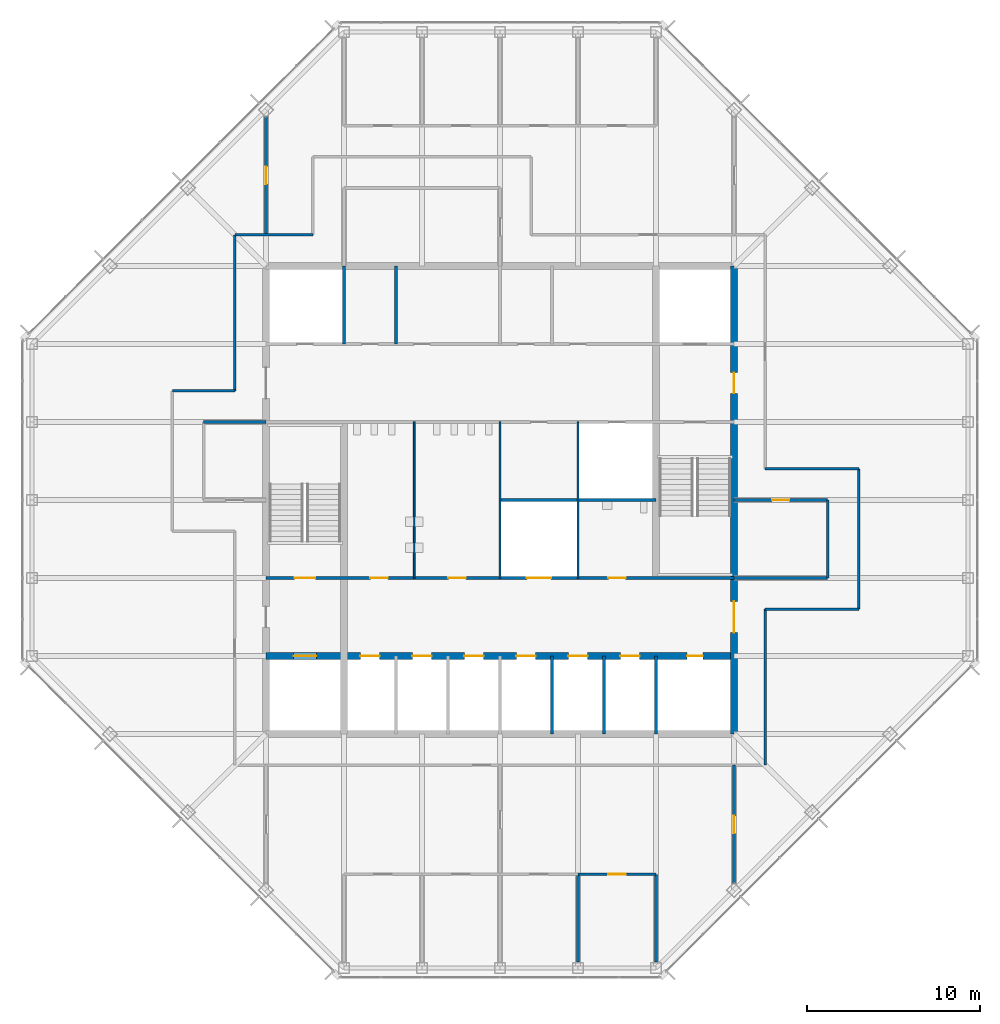
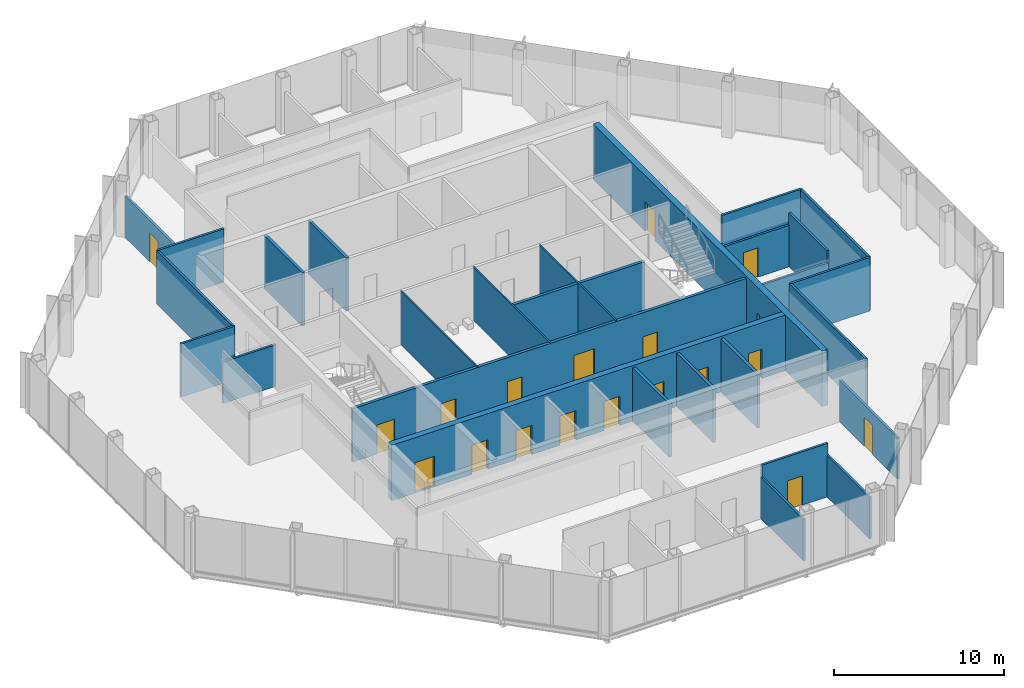
# One storey, part 10 of 14: 28 walls, 19 doors, 19 openings.
"""IFC4 building model written with IfcOpenShell, lengths in metres."""

from ifc_helpers import new_model, si_unit, direction, frame, frame_2d, origin, place, context, subcontext, project, spatial, rectangle, extrude, material, layer, layer_set, type_object, element, fill, save


model = new_model("IFC4")

# Units and contexts
model_context = context("Model", 3, precision=1e-05, world=origin(), true_north=direction((0.0, 1.0)))
body_context = subcontext(model_context, "Body", "Model", "MODEL_VIEW")
ifc_project = project(units=[si_unit("LENGTHUNIT", "METRE"), si_unit("AREAUNIT", "SQUARE_METRE"), si_unit("VOLUMEUNIT", "CUBIC_METRE"), si_unit("PLANEANGLEUNIT", "RADIAN"), si_unit("MASSUNIT", "GRAM", prefix="KILO")], contexts=[model_context])

# Site, building, storey
site_placement = place(None, origin())
site = spatial("IfcSite", under=ifc_project, at=site_placement, CompositionType="ELEMENT")
building_placement = place(site_placement, origin())
building = spatial("IfcBuilding", under=site, at=building_placement, Name="Corais Broadcast Tower", CompositionType="ELEMENT")
storey_placement = place(building_placement, frame((0.0, 0.0, 250.60009765625)))
storey = spatial("IfcBuildingStorey", under=building, at=storey_placement, Name="L58", CompositionType="ELEMENT", Elevation=250.60009765625)

# Walls
ifc_material_1 = material(Name="Concrete blockwork class A, grouted, two-hour", Category="masonry")
ifc_layer_1 = layer(ifc_material_1, 0.199951171875)
ifc_layer_set_1 = layer_set([ifc_layer_1], Name="Concrete blockwork class A, grouted, two-hour")
wall_type_1 = type_object("IfcWallType", Name="Core lobby wall 200", PredefinedType="SOLIDWALL", material=ifc_layer_set_1)
for number, where, z_axis, x_axis, name in (
    (1, (18.0, 36.0, 0.0), (0.0, 0.0, 1.0), (0.0, 1.0, 0.0), "CL3 core shaft wall X18B L58"),
    (2, (36.0, 13.5, 0.0), (0.0, 0.0, 1.0), (0.0, 1.0, 0.0), "CL3 core shaft wall X36A L58"),
):
    element("IfcWall", number, at=place(storey_placement, frame(where, z_axis=z_axis, x_axis=x_axis)), inside=storey, type_object=wall_type_1, Name=name, PredefinedType="SOLIDWALL", context=body_context, shape_type="SweptSolid", body=[
        extrude(rectangle(XDim=4.5, YDim=0.199951171875, at=frame_2d((2.25, 0.0))), origin(), (0.0, 0.0, 1.0), 3.83984375),
    ])

# Wall, openings, doors
wall_1_placement = place(storey_placement, frame((13.5, 22.5, 0.0), z_axis=(0.0, 0.0, 1.0), x_axis=(1.0, 0.0, 0.0)))
wall_1 = element("IfcWall", 3, at=wall_1_placement, inside=storey, type_object=wall_type_1, Name="CL3 core lobby wall Y225 L58", PredefinedType="SOLIDWALL", context=body_context, shape_type="SweptSolid", body=[
    extrude(rectangle(XDim=27.0, YDim=0.199951171875, at=frame_2d((13.5, 0.0))), origin(), (0.0, 0.0, 1.0), 3.83984375),
])
opening_1_placement = place(wall_1_placement, frame((1.64990234375, 0.0, 0.0)))
opening_1 = element("IfcOpeningElement", 4, at=opening_1_placement, cuts=wall_1, Name="Opening FD1", PredefinedType="OPENING", context=body_context, shape_type="SweptSolid", body=[
    extrude(rectangle(XDim=1.199951171875, YDim=2.10009765625, at=frame_2d((0.60009765625, 1.050048828125))), frame((0.0, 0.10986328125, 0.0), z_axis=(0.0, -1.0, 0.0), x_axis=(1.0, 0.0, 0.0)), (0.0, 0.0, 1.0), 0.219970703125),
])
opening_2_placement = place(wall_1_placement, frame((6.02490234375, 0.0, 0.0)))
opening_2 = element("IfcOpeningElement", 5, at=opening_2_placement, cuts=wall_1, Name="Opening WD1", PredefinedType="OPENING", context=body_context, shape_type="SweptSolid", body=[
    extrude(rectangle(XDim=1.0, YDim=2.10009765625, at=frame_2d((0.5, 1.050048828125))), frame((0.0, 0.10986328125, 0.0), z_axis=(0.0, -1.0, 0.0), x_axis=(1.0, 0.0, 0.0)), (0.0, 0.0, 1.0), 0.219970703125),
])
opening_3_placement = place(wall_1_placement, frame((10.52490234375, 0.0, 0.0)))
opening_3 = element("IfcOpeningElement", 6, at=opening_3_placement, cuts=wall_1, Name="Opening WD1", PredefinedType="OPENING", context=body_context, shape_type="SweptSolid", body=[
    extrude(rectangle(XDim=1.0, YDim=2.10009765625, at=frame_2d((0.5, 1.050048828125))), frame((0.0, 0.10986328125, 0.0), z_axis=(0.0, -1.0, 0.0), x_axis=(1.0, 0.0, 0.0)), (0.0, 0.0, 1.0), 0.219970703125),
])
opening_4_placement = place(wall_1_placement, frame((19.75, 0.0, 0.0)))
opening_4 = element("IfcOpeningElement", 7, at=opening_4_placement, cuts=wall_1, Name="Opening WD1", PredefinedType="OPENING", context=body_context, shape_type="SweptSolid", body=[
    extrude(rectangle(XDim=1.0, YDim=2.10009765625, at=frame_2d((0.5, 1.050048828125))), frame((0.0, 0.10986328125, 0.0), z_axis=(0.0, -1.0, 0.0), x_axis=(1.0, 0.0, 0.0)), (0.0, 0.0, 1.0), 0.219970703125),
])
opening_5_placement = place(wall_1_placement, frame((15.050048828125, 0.0, 0.0)))
opening_5 = element("IfcOpeningElement", 8, at=opening_5_placement, cuts=wall_1, Name="Opening LD3", PredefinedType="OPENING", context=body_context, shape_type="SweptSolid", body=[
    extrude(rectangle(XDim=1.39990234375, YDim=2.39990234375, at=frame_2d((0.699951171875, 1.199951171875))), frame((0.0, 0.10986328125, 0.0), z_axis=(0.0, -1.0, 0.0), x_axis=(1.0, 0.0, 0.0)), (0.0, 0.0, 1.0), 0.219970703125),
])
ifc_material_2 = material(Name="Steel fire door", Category="steel")
door_type_1 = type_object("IfcDoorType", Name="Fire door 1200x2100", OperationType="SINGLE_SWING_LEFT", PredefinedType="DOOR", material=ifc_material_2)
door_1_placement = place(opening_1_placement, origin())
door_1 = element("IfcDoor", 9, at=door_1_placement, inside=storey, type_object=door_type_1, Name="FD1 stair A door L58", OperationType="SINGLE_SWING_LEFT", OverallHeight=2.10009765625, OverallWidth=1.199951171875, PredefinedType="DOOR", context=body_context, shape_type="SweptSolid", body=[
    extrude(rectangle(XDim=1.199951171875, YDim=2.10009765625, at=frame_2d((0.60009765625, 1.050048828125))), frame((0.0, 0.02490234375, 0.0), z_axis=(0.0, -1.0, 0.0), x_axis=(1.0, 0.0, 0.0)), (0.0, 0.0, 1.0), 0.050048828125),
])
fill(opening_1, door_1)
ifc_material_3 = material(Name="Stainless steel lift door", Category="steel")
door_type_2 = type_object("IfcDoorType", Name="Service lift landing door 1400x2400", OperationType="SLIDING_TO_LEFT", PredefinedType="DOOR", material=ifc_material_3)
door_2_placement = place(opening_5_placement, origin())
door_2 = element("IfcDoor", 10, at=door_2_placement, inside=storey, type_object=door_type_2, Name="LD3 SL1 landing door L58", OperationType="SLIDING_TO_LEFT", OverallHeight=2.39990234375, OverallWidth=1.39990234375, PredefinedType="DOOR", context=body_context, shape_type="SweptSolid", body=[
    extrude(rectangle(XDim=1.39990234375, YDim=2.39990234375, at=frame_2d((0.699951171875, 1.199951171875))), frame((0.0, 0.02490234375, 0.0), z_axis=(0.0, -1.0, 0.0), x_axis=(1.0, 0.0, 0.0)), (0.0, 0.0, 1.0), 0.050048828125),
])
fill(opening_5, door_2)
ifc_material_4 = material(Name="Timber door", Category="wood")
door_type_3 = type_object("IfcDoorType", Name="Toilet door 1000x2100", OperationType="SINGLE_SWING_LEFT", PredefinedType="DOOR", material=ifc_material_4)
door_3_placement = place(opening_2_placement, origin())
door_3 = element("IfcDoor", 11, at=door_3_placement, inside=storey, type_object=door_type_3, Name="WD1 WC male door L58", OperationType="SINGLE_SWING_LEFT", OverallHeight=2.10009765625, OverallWidth=1.0, PredefinedType="DOOR", context=body_context, shape_type="SweptSolid", body=[
    extrude(rectangle(XDim=1.0, YDim=2.10009765625, at=frame_2d((0.5, 1.050048828125))), frame((0.0, 0.02490234375, 0.0), z_axis=(0.0, -1.0, 0.0), x_axis=(1.0, 0.0, 0.0)), (0.0, 0.0, 1.0), 0.050048828125),
])
fill(opening_2, door_3)
door_4_placement = place(opening_3_placement, origin())
door_4 = element("IfcDoor", 12, at=door_4_placement, inside=storey, type_object=door_type_3, Name="WD1 WC female door L58", OperationType="SINGLE_SWING_LEFT", OverallHeight=2.10009765625, OverallWidth=1.0, PredefinedType="DOOR", context=body_context, shape_type="SweptSolid", body=[
    extrude(rectangle(XDim=1.0, YDim=2.10009765625, at=frame_2d((0.5, 1.050048828125))), frame((0.0, 0.02490234375, 0.0), z_axis=(0.0, -1.0, 0.0), x_axis=(1.0, 0.0, 0.0)), (0.0, 0.0, 1.0), 0.050048828125),
])
fill(opening_3, door_4)
door_5_placement = place(opening_4_placement, origin())
door_5 = element("IfcDoor", 13, at=door_5_placement, inside=storey, type_object=door_type_3, Name="WD1 accessible WC door L58", OperationType="SINGLE_SWING_RIGHT", OverallHeight=2.10009765625, OverallWidth=1.0, PredefinedType="DOOR", context=body_context, shape_type="SweptSolid", body=[
    extrude(rectangle(XDim=1.0, YDim=2.10009765625, at=frame_2d((0.5, 1.050048828125))), frame((0.0, 0.02490234375, 0.0), z_axis=(0.0, -1.0, 0.0), x_axis=(1.0, 0.0, 0.0)), (0.0, 0.0, 1.0), 0.050048828125),
])
fill(opening_4, door_5)

ifc_material_5 = material(Name="Concrete C50/60", Category="concrete")
ifc_layer_2 = layer(ifc_material_5, 0.39990234375)
ifc_layer_set_2 = layer_set([ifc_layer_2], Name="Concrete C50/60")
wall_type_2 = type_object("IfcWallType", Name="Core wall 400", PredefinedType="SHEAR", material=ifc_layer_set_2)
wall_2_placement = place(storey_placement, frame((40.5, 13.5, 0.0), z_axis=(0.0, 0.0, 1.0), x_axis=(0.0, 1.0, 0.0)))
wall_2 = element("IfcWall", 14, at=wall_2_placement, inside=storey, type_object=wall_type_2, Name="CR400 core wall E L58", PredefinedType="SHEAR", context=body_context, shape_type="SweptSolid", body=[
    extrude(rectangle(XDim=27.0, YDim=0.39990234375, at=frame_2d((13.5, 0.0))), origin(), (0.0, 0.0, 1.0), 4.0),
])
opening_6_placement = place(wall_2_placement, frame((5.85009765625, 0.0, 0.0)))
opening_6 = element("IfcOpeningElement", 15, at=opening_6_placement, cuts=wall_2, Name="Opening FD2", PredefinedType="OPENING", context=body_context, shape_type="SweptSolid", body=[
    extrude(rectangle(XDim=1.800048828125, YDim=2.10009765625, at=frame_2d((0.89990234375, 1.050048828125))), frame((0.0, 0.2099609375, 0.0), z_axis=(0.0, -1.0, 0.0), x_axis=(1.0, 0.0, 0.0)), (0.0, 0.0, 1.0), 0.419921875),
])
opening_7_placement = place(wall_2_placement, frame((19.64990234375, 0.0, 0.0)))
opening_7 = element("IfcOpeningElement", 16, at=opening_7_placement, cuts=wall_2, Name="Opening FD1", PredefinedType="OPENING", context=body_context, shape_type="SweptSolid", body=[
    extrude(rectangle(XDim=1.199951171875, YDim=2.10009765625, at=frame_2d((0.60009765625, 1.050048828125))), frame((0.0, 0.2099609375, 0.0), z_axis=(0.0, -1.0, 0.0), x_axis=(1.0, 0.0, 0.0)), (0.0, 0.0, 1.0), 0.419921875),
])
door_6_placement = place(opening_7_placement, origin())
door_6 = element("IfcDoor", 17, at=door_6_placement, inside=storey, type_object=door_type_1, Name="FD1 fire lobby B door L58", OperationType="SINGLE_SWING_RIGHT", OverallHeight=2.10009765625, OverallWidth=1.199951171875, PredefinedType="DOOR", context=body_context, shape_type="SweptSolid", body=[
    extrude(rectangle(XDim=1.199951171875, YDim=2.10009765625, at=frame_2d((0.60009765625, 1.050048828125))), frame((0.0, 0.02490234375, 0.0), z_axis=(0.0, -1.0, 0.0), x_axis=(1.0, 0.0, 0.0)), (0.0, 0.0, 1.0), 0.050048828125),
])
fill(opening_7, door_6)
ifc_material_6 = material(Name="Steel fire door", Category="steel")
door_type_4 = type_object("IfcDoorType", Name="Fire door pair 1800x2100", OperationType="DOUBLE_DOOR_SINGLE_SWING", PredefinedType="DOOR", material=ifc_material_6)
door_7_placement = place(opening_6_placement, origin())
door_7 = element("IfcDoor", 18, at=door_7_placement, inside=storey, type_object=door_type_4, Name="FD2 lift lobby door L58", OperationType="SINGLE_SWING_LEFT", OverallHeight=2.10009765625, OverallWidth=1.800048828125, PredefinedType="DOOR", context=body_context, shape_type="SweptSolid", body=[
    extrude(rectangle(XDim=1.800048828125, YDim=2.10009765625, at=frame_2d((0.89990234375, 1.050048828125))), frame((0.0, 0.02490234375, 0.0), z_axis=(0.0, -1.0, 0.0), x_axis=(1.0, 0.0, 0.0)), (0.0, 0.0, 1.0), 0.050048828125),
])
fill(opening_6, door_7)

wall_3_placement = place(storey_placement, frame((13.5, 18.0, 0.0), z_axis=(0.0, 0.0, 1.0), x_axis=(1.0, 0.0, 0.0)))
wall_3 = element("IfcWall", 19, at=wall_3_placement, inside=storey, type_object=wall_type_2, Name="CR400 core wall Y18 L58", PredefinedType="SHEAR", context=body_context, shape_type="SweptSolid", body=[
    extrude(rectangle(XDim=27.0, YDim=0.39990234375, at=frame_2d((13.5, 0.0))), origin(), (0.0, 0.0, 1.0), 4.0),
])
opening_8_placement = place(wall_3_placement, frame((24.300048828125, 0.0, 0.0)))
opening_8 = element("IfcOpeningElement", 20, at=opening_8_placement, cuts=wall_3, Name="Opening RD1", PredefinedType="OPENING", context=body_context, shape_type="SweptSolid", body=[
    extrude(rectangle(XDim=0.89990234375, YDim=2.10009765625, at=frame_2d((0.449951171875, 1.050048828125))), frame((0.0, 0.2099609375, 0.0), z_axis=(0.0, -1.0, 0.0), x_axis=(1.0, 0.0, 0.0)), (0.0, 0.0, 1.0), 0.419921875),
])
opening_9_placement = place(wall_3_placement, frame((5.449951171875, 0.0, 0.0)))
opening_9 = element("IfcOpeningElement", 21, at=opening_9_placement, cuts=wall_3, Name="Opening LD1", PredefinedType="OPENING", context=body_context, shape_type="SweptSolid", body=[
    extrude(rectangle(XDim=1.10009765625, YDim=2.10009765625, at=frame_2d((0.550048828125, 1.050048828125))), frame((0.0, 0.2099609375, 0.0), z_axis=(0.0, -1.0, 0.0), x_axis=(1.0, 0.0, 0.0)), (0.0, 0.0, 1.0), 0.419921875),
])
opening_10_placement = place(wall_3_placement, frame((8.449951171875, 0.0, 0.0)))
opening_10 = element("IfcOpeningElement", 22, at=opening_10_placement, cuts=wall_3, Name="Opening LD1", PredefinedType="OPENING", context=body_context, shape_type="SweptSolid", body=[
    extrude(rectangle(XDim=1.10009765625, YDim=2.10009765625, at=frame_2d((0.550048828125, 1.050048828125))), frame((0.0, 0.2099609375, 0.0), z_axis=(0.0, -1.0, 0.0), x_axis=(1.0, 0.0, 0.0)), (0.0, 0.0, 1.0), 0.419921875),
])
opening_11_placement = place(wall_3_placement, frame((11.449951171875, 0.0, 0.0)))
opening_11 = element("IfcOpeningElement", 23, at=opening_11_placement, cuts=wall_3, Name="Opening LD1", PredefinedType="OPENING", context=body_context, shape_type="SweptSolid", body=[
    extrude(rectangle(XDim=1.10009765625, YDim=2.10009765625, at=frame_2d((0.550048828125, 1.050048828125))), frame((0.0, 0.2099609375, 0.0), z_axis=(0.0, -1.0, 0.0), x_axis=(1.0, 0.0, 0.0)), (0.0, 0.0, 1.0), 0.419921875),
])
opening_12_placement = place(wall_3_placement, frame((14.449951171875, 0.0, 0.0)))
opening_12 = element("IfcOpeningElement", 24, at=opening_12_placement, cuts=wall_3, Name="Opening LD1", PredefinedType="OPENING", context=body_context, shape_type="SweptSolid", body=[
    extrude(rectangle(XDim=1.10009765625, YDim=2.10009765625, at=frame_2d((0.550048828125, 1.050048828125))), frame((0.0, 0.2099609375, 0.0), z_axis=(0.0, -1.0, 0.0), x_axis=(1.0, 0.0, 0.0)), (0.0, 0.0, 1.0), 0.419921875),
])
opening_13_placement = place(wall_3_placement, frame((17.449951171875, 0.0, 0.0)))
opening_13 = element("IfcOpeningElement", 25, at=opening_13_placement, cuts=wall_3, Name="Opening LD1", PredefinedType="OPENING", context=body_context, shape_type="SweptSolid", body=[
    extrude(rectangle(XDim=1.10009765625, YDim=2.10009765625, at=frame_2d((0.550048828125, 1.050048828125))), frame((0.0, 0.2099609375, 0.0), z_axis=(0.0, -1.0, 0.0), x_axis=(1.0, 0.0, 0.0)), (0.0, 0.0, 1.0), 0.419921875),
])
opening_14_placement = place(wall_3_placement, frame((20.449951171875, 0.0, 0.0)))
opening_14 = element("IfcOpeningElement", 26, at=opening_14_placement, cuts=wall_3, Name="Opening LD1", PredefinedType="OPENING", context=body_context, shape_type="SweptSolid", body=[
    extrude(rectangle(XDim=1.10009765625, YDim=2.10009765625, at=frame_2d((0.550048828125, 1.050048828125))), frame((0.0, 0.2099609375, 0.0), z_axis=(0.0, -1.0, 0.0), x_axis=(1.0, 0.0, 0.0)), (0.0, 0.0, 1.0), 0.419921875),
])
opening_15_placement = place(wall_3_placement, frame((1.60009765625, 0.0, 0.0)))
opening_15 = element("IfcOpeningElement", 27, at=opening_15_placement, cuts=wall_3, Name="Opening LD2", PredefinedType="OPENING", context=body_context, shape_type="SweptSolid", body=[
    extrude(rectangle(XDim=1.300048828125, YDim=2.199951171875, at=frame_2d((0.64990234375, 1.10009765625))), frame((0.0, 0.2099609375, 0.0), z_axis=(0.0, -1.0, 0.0), x_axis=(1.0, 0.0, 0.0)), (0.0, 0.0, 1.0), 0.419921875),
])
ifc_material_7 = material(Name="Stainless steel lift door", Category="steel")
door_type_5 = type_object("IfcDoorType", Name="Lift landing door 1100x2100", OperationType="SLIDING_TO_LEFT", PredefinedType="DOOR", material=ifc_material_7)
door_8_placement = place(opening_9_placement, origin())
door_8 = element("IfcDoor", 28, at=door_8_placement, inside=storey, type_object=door_type_5, Name="LD1 PH1 landing door L58", OperationType="SLIDING_TO_LEFT", OverallHeight=2.10009765625, OverallWidth=1.10009765625, PredefinedType="DOOR", context=body_context, shape_type="SweptSolid", body=[
    extrude(rectangle(XDim=1.10009765625, YDim=2.10009765625, at=frame_2d((0.550048828125, 1.050048828125))), frame((0.0, 0.02490234375, 0.0), z_axis=(0.0, -1.0, 0.0), x_axis=(1.0, 0.0, 0.0)), (0.0, 0.0, 1.0), 0.050048828125),
])
fill(opening_9, door_8)
door_9_placement = place(opening_10_placement, origin())
door_9 = element("IfcDoor", 29, at=door_9_placement, inside=storey, type_object=door_type_5, Name="LD1 PH2 landing door L58", OperationType="SLIDING_TO_LEFT", OverallHeight=2.10009765625, OverallWidth=1.10009765625, PredefinedType="DOOR", context=body_context, shape_type="SweptSolid", body=[
    extrude(rectangle(XDim=1.10009765625, YDim=2.10009765625, at=frame_2d((0.550048828125, 1.050048828125))), frame((0.0, 0.02490234375, 0.0), z_axis=(0.0, -1.0, 0.0), x_axis=(1.0, 0.0, 0.0)), (0.0, 0.0, 1.0), 0.050048828125),
])
fill(opening_10, door_9)
door_10_placement = place(opening_11_placement, origin())
door_10 = element("IfcDoor", 30, at=door_10_placement, inside=storey, type_object=door_type_5, Name="LD1 PH3 landing door L58", OperationType="SLIDING_TO_LEFT", OverallHeight=2.10009765625, OverallWidth=1.10009765625, PredefinedType="DOOR", context=body_context, shape_type="SweptSolid", body=[
    extrude(rectangle(XDim=1.10009765625, YDim=2.10009765625, at=frame_2d((0.550048828125, 1.050048828125))), frame((0.0, 0.02490234375, 0.0), z_axis=(0.0, -1.0, 0.0), x_axis=(1.0, 0.0, 0.0)), (0.0, 0.0, 1.0), 0.050048828125),
])
fill(opening_11, door_10)
door_11_placement = place(opening_12_placement, origin())
door_11 = element("IfcDoor", 31, at=door_11_placement, inside=storey, type_object=door_type_5, Name="LD1 PH4 landing door L58", OperationType="SLIDING_TO_LEFT", OverallHeight=2.10009765625, OverallWidth=1.10009765625, PredefinedType="DOOR", context=body_context, shape_type="SweptSolid", body=[
    extrude(rectangle(XDim=1.10009765625, YDim=2.10009765625, at=frame_2d((0.550048828125, 1.050048828125))), frame((0.0, 0.02490234375, 0.0), z_axis=(0.0, -1.0, 0.0), x_axis=(1.0, 0.0, 0.0)), (0.0, 0.0, 1.0), 0.050048828125),
])
fill(opening_12, door_11)
door_12_placement = place(opening_13_placement, origin())
door_12 = element("IfcDoor", 32, at=door_12_placement, inside=storey, type_object=door_type_5, Name="LD1 PH5 landing door L58", OperationType="SLIDING_TO_LEFT", OverallHeight=2.10009765625, OverallWidth=1.10009765625, PredefinedType="DOOR", context=body_context, shape_type="SweptSolid", body=[
    extrude(rectangle(XDim=1.10009765625, YDim=2.10009765625, at=frame_2d((0.550048828125, 1.050048828125))), frame((0.0, 0.02490234375, 0.0), z_axis=(0.0, -1.0, 0.0), x_axis=(1.0, 0.0, 0.0)), (0.0, 0.0, 1.0), 0.050048828125),
])
fill(opening_13, door_12)
door_13_placement = place(opening_14_placement, origin())
door_13 = element("IfcDoor", 33, at=door_13_placement, inside=storey, type_object=door_type_5, Name="LD1 PH6 landing door L58", OperationType="SLIDING_TO_LEFT", OverallHeight=2.10009765625, OverallWidth=1.10009765625, PredefinedType="DOOR", context=body_context, shape_type="SweptSolid", body=[
    extrude(rectangle(XDim=1.10009765625, YDim=2.10009765625, at=frame_2d((0.550048828125, 1.050048828125))), frame((0.0, 0.02490234375, 0.0), z_axis=(0.0, -1.0, 0.0), x_axis=(1.0, 0.0, 0.0)), (0.0, 0.0, 1.0), 0.050048828125),
])
fill(opening_14, door_13)
ifc_material_8 = material(Name="Stainless steel lift door", Category="steel")
door_type_6 = type_object("IfcDoorType", Name="Lift landing door 1300x2200", OperationType="SLIDING_TO_LEFT", PredefinedType="DOOR", material=ifc_material_8)
door_14_placement = place(opening_15_placement, origin())
door_14 = element("IfcDoor", 34, at=door_14_placement, inside=storey, type_object=door_type_6, Name="LD2 FL1 landing door L58", OperationType="SLIDING_TO_LEFT", OverallHeight=2.199951171875, OverallWidth=1.300048828125, PredefinedType="DOOR", context=body_context, shape_type="SweptSolid", body=[
    extrude(rectangle(XDim=1.300048828125, YDim=2.199951171875, at=frame_2d((0.64990234375, 1.10009765625))), frame((0.0, 0.02490234375, 0.0), z_axis=(0.0, -1.0, 0.0), x_axis=(1.0, 0.0, 0.0)), (0.0, 0.0, 1.0), 0.050048828125),
])
fill(opening_15, door_14)
ifc_material_9 = material(Name="Steel fire door", Category="steel")
door_type_7 = type_object("IfcDoorType", Name="Riser door 900x2100", OperationType="SINGLE_SWING_LEFT", PredefinedType="DOOR", material=ifc_material_9)
door_15_placement = place(opening_8_placement, origin())
door_15 = element("IfcDoor", 35, at=door_15_placement, inside=storey, type_object=door_type_7, Name="RD1 riser door L58", OperationType="SINGLE_SWING_RIGHT", OverallHeight=2.10009765625, OverallWidth=0.89990234375, PredefinedType="DOOR", context=body_context, shape_type="SweptSolid", body=[
    extrude(rectangle(XDim=0.89990234375, YDim=2.10009765625, at=frame_2d((0.449951171875, 1.050048828125))), frame((0.0, 0.02490234375, 0.0), z_axis=(0.0, -1.0, 0.0), x_axis=(1.0, 0.0, 0.0)), (0.0, 0.0, 1.0), 0.050048828125),
])
fill(opening_8, door_15)

# Walls
ifc_material_10 = material(Name="Gypsum board on steel studs", Category="steel")
ifc_layer_3 = layer(ifc_material_10, 0.14990234375)
ifc_layer_set_3 = layer_set([ifc_layer_3], Name="Gypsum board on steel studs")
wall_type_3 = type_object("IfcWallType", Name="Partition 150", PredefinedType="PARTITIONING", material=ifc_layer_set_3)
for number, where, z_axis, x_axis, name in (
    (36, (11.699951171875, 42.300048828125, 0.0), (0.0, 0.0, 1.0), (0.0, -1.0, 0.0), "IW3 corridor wall L58"),
    (37, (42.300048828125, 11.699951171875, 0.0), (0.0, 0.0, 1.0), (0.0, 1.0, 0.0), "IW3 corridor wall L58"),
):
    element("IfcWall", number, at=place(storey_placement, frame(where, z_axis=z_axis, x_axis=x_axis)), inside=storey, type_object=wall_type_3, Name=name, PredefinedType="PARTITIONING", context=body_context, shape_type="SweptSolid", body=[
        extrude(rectangle(XDim=9.0, YDim=0.14990234375, at=frame_2d((4.5, 0.0))), origin(), (0.0, 0.0, 1.0), 3.83984375),
    ])
wall_4_placement = place(storey_placement, frame((47.699951171875, 20.699951171875, 0.0), z_axis=(0.0, 0.0, 1.0), x_axis=(0.0, 1.0, 0.0)))
element("IfcWall", 38, at=wall_4_placement, inside=storey, type_object=wall_type_3, Name="IW3 corridor wall L58", PredefinedType="PARTITIONING", context=body_context, shape_type="SweptSolid", body=[
    extrude(rectangle(XDim=8.10009765625, YDim=0.14990234375, at=frame_2d((4.050048828125, 0.0))), origin(), (0.0, 0.0, 1.0), 3.83984375),
])
for number, where, z_axis, x_axis, name in (
    (39, (42.300048828125, 20.699951171875, 0.0), (0.0, 0.0, 1.0), (1.0, 0.0, 0.0), "IW3 corridor wall L58"),
    (40, (47.699951171875, 28.800048828125, 0.0), (0.0, 0.0, 1.0), (-1.0, 0.0, 0.0), "IW3 corridor wall L58"),
):
    element("IfcWall", number, at=place(storey_placement, frame(where, z_axis=z_axis, x_axis=x_axis)), inside=storey, type_object=wall_type_3, Name=name, PredefinedType="PARTITIONING", context=body_context, shape_type="SweptSolid", body=[
        extrude(rectangle(XDim=5.39990234375, YDim=0.14990234375, at=frame_2d((2.699951171875, 0.0))), origin(), (0.0, 0.0, 1.0), 3.83984375),
    ])
wall_5_placement = place(storey_placement, frame((16.199951171875, 42.300048828125, 0.0), z_axis=(0.0, 0.0, 1.0), x_axis=(-1.0, 0.0, 0.0)))
element("IfcWall", 41, at=wall_5_placement, inside=storey, type_object=wall_type_3, Name="IW3 corridor wall L58", PredefinedType="PARTITIONING", context=body_context, shape_type="SweptSolid", body=[
    extrude(rectangle(XDim=4.5, YDim=0.14990234375, at=frame_2d((2.25, 0.0))), origin(), (0.0, 0.0, 1.0), 3.83984375),
])
wall_6_placement = place(storey_placement, frame((11.699951171875, 33.300048828125, 0.0), z_axis=(0.0, 0.0, 1.0), x_axis=(-1.0, 0.0, 0.0)))
element("IfcWall", 42, at=wall_6_placement, inside=storey, type_object=wall_type_3, Name="IW3 corridor wall L58", PredefinedType="PARTITIONING", context=body_context, shape_type="SweptSolid", body=[
    extrude(rectangle(XDim=3.599853515625, YDim=0.14990234375, at=frame_2d((1.7998046875, 0.0))), origin(), (0.0, 0.0, 1.0), 3.83984375),
])
for number, where, z_axis, x_axis, name in (
    (43, (31.5, 0.3349609375, 0.0), (0.0, 0.0, 1.0), (0.0, 1.0, 0.0), "IW3 partition L58"),
    (44, (36.0, 0.3349609375, 0.0), (0.0, 0.0, 1.0), (0.0, 1.0, 0.0), "IW3 partition L58"),
):
    element("IfcWall", number, at=place(storey_placement, frame(where, z_axis=z_axis, x_axis=x_axis)), inside=storey, type_object=wall_type_3, Name=name, PredefinedType="PARTITIONING", context=body_context, shape_type="SweptSolid", body=[
        extrude(rectangle(XDim=5.06494140625, YDim=0.14990234375, at=frame_2d((2.532470703125, 0.0))), origin(), (0.0, 0.0, 1.0), 2.989013671875),
    ])

# Wall, opening, door
wall_7_placement = place(storey_placement, frame((36.0, 5.39990234375, 0.0), z_axis=(0.0, 0.0, 1.0), x_axis=(-1.0, 0.0, 0.0)))
wall_7 = element("IfcWall", 45, at=wall_7_placement, inside=storey, type_object=wall_type_3, Name="IW3 partition L58", PredefinedType="PARTITIONING", context=body_context, shape_type="SweptSolid", body=[
    extrude(rectangle(XDim=4.5, YDim=0.14990234375, at=frame_2d((2.25, 0.0))), origin(), (0.0, 0.0, 1.0), 3.83984375),
])
opening_16_placement = place(wall_7_placement, frame((1.75, 0.0, 0.0)))
opening_16 = element("IfcOpeningElement", 46, at=opening_16_placement, cuts=wall_7, Name="Opening D1", PredefinedType="OPENING", context=body_context, shape_type="SweptSolid", body=[
    extrude(rectangle(XDim=1.0, YDim=2.10009765625, at=frame_2d((0.5, 1.050048828125))), frame((0.0, 0.0849609375, 0.0), z_axis=(0.0, -1.0, 0.0), x_axis=(1.0, 0.0, 0.0)), (0.0, 0.0, 1.0), 0.169921875),
])
ifc_material_11 = material(Name="Timber door", Category="wood")
door_type_8 = type_object("IfcDoorType", Name="Single door 1000x2100", OperationType="SINGLE_SWING_LEFT", PredefinedType="DOOR", material=ifc_material_11)
door_16_placement = place(opening_16_placement, origin())
door_16 = element("IfcDoor", 47, at=door_16_placement, inside=storey, type_object=door_type_8, Name="D1 Office door", OperationType="SINGLE_SWING_LEFT", OverallHeight=2.10009765625, OverallWidth=1.0, PredefinedType="DOOR", context=body_context, shape_type="SweptSolid", body=[
    extrude(rectangle(XDim=1.0, YDim=2.10009765625, at=frame_2d((0.5, 1.050048828125))), frame((0.0, 0.02490234375, 0.0), z_axis=(0.0, -1.0, 0.0), x_axis=(1.0, 0.0, 0.0)), (0.0, 0.0, 1.0), 0.050048828125),
])
fill(opening_16, door_16)

# Walls
wall_8_placement = place(storey_placement, frame((40.5, 22.5, 0.0), z_axis=(0.0, 0.0, 1.0), x_axis=(1.0, 0.0, 0.0)))
element("IfcWall", 48, at=wall_8_placement, inside=storey, type_object=wall_type_3, Name="IW3 partition L58", PredefinedType="PARTITIONING", context=body_context, shape_type="SweptSolid", body=[
    extrude(rectangle(XDim=5.39990234375, YDim=0.14990234375, at=frame_2d((2.699951171875, 0.0))), origin(), (0.0, 0.0, 1.0), 2.989013671875),
])
wall_9_placement = place(storey_placement, frame((45.89990234375, 22.5, 0.0), z_axis=(0.0, 0.0, 1.0), x_axis=(0.0, 1.0, 0.0)))
element("IfcWall", 49, at=wall_9_placement, inside=storey, type_object=wall_type_3, Name="IW3 partition L58", PredefinedType="PARTITIONING", context=body_context, shape_type="SweptSolid", body=[
    extrude(rectangle(XDim=4.5, YDim=0.14990234375, at=frame_2d((2.25, 0.0))), origin(), (0.0, 0.0, 1.0), 3.83984375),
])

# Wall, opening, door
wall_10_placement = place(storey_placement, frame((45.89990234375, 27.0, 0.0), z_axis=(0.0, 0.0, 1.0), x_axis=(-1.0, 0.0, 0.0)))
wall_10 = element("IfcWall", 50, at=wall_10_placement, inside=storey, type_object=wall_type_3, Name="IW3 partition L58", PredefinedType="PARTITIONING", context=body_context, shape_type="SweptSolid", body=[
    extrude(rectangle(XDim=5.39990234375, YDim=0.14990234375, at=frame_2d((2.699951171875, 0.0))), origin(), (0.0, 0.0, 1.0), 2.989013671875),
])
opening_17_placement = place(wall_10_placement, frame((2.199951171875, 0.0, 0.0)))
opening_17 = element("IfcOpeningElement", 51, at=opening_17_placement, cuts=wall_10, Name="Opening D1", PredefinedType="OPENING", context=body_context, shape_type="SweptSolid", body=[
    extrude(rectangle(XDim=1.0, YDim=2.10009765625, at=frame_2d((0.5, 1.050048828125))), frame((0.0, 0.0849609375, 0.0), z_axis=(0.0, -1.0, 0.0), x_axis=(1.0, 0.0, 0.0)), (0.0, 0.0, 1.0), 0.169921875),
])
door_17_placement = place(opening_17_placement, origin())
door_17 = element("IfcDoor", 52, at=door_17_placement, inside=storey, type_object=door_type_8, Name="D1 Meeting room door", OperationType="SINGLE_SWING_LEFT", OverallHeight=2.10009765625, OverallWidth=1.0, PredefinedType="DOOR", context=body_context, shape_type="SweptSolid", body=[
    extrude(rectangle(XDim=1.0, YDim=2.10009765625, at=frame_2d((0.5, 1.050048828125))), frame((0.0, 0.02490234375, 0.0), z_axis=(0.0, -1.0, 0.0), x_axis=(1.0, 0.0, 0.0)), (0.0, 0.0, 1.0), 0.050048828125),
])
fill(opening_17, door_17)

# Wall
wall_11_placement = place(storey_placement, frame((13.5, 31.5, 0.0), z_axis=(0.0, 0.0, 1.0), x_axis=(-1.0, 0.0, 0.0)))
element("IfcWall", 53, at=wall_11_placement, inside=storey, type_object=wall_type_3, Name="IW3 partition L58", PredefinedType="PARTITIONING", context=body_context, shape_type="SweptSolid", body=[
    extrude(rectangle(XDim=3.60009765625, YDim=0.14990234375, at=frame_2d((1.800048828125, 0.0))), origin(), (0.0, 0.0, 1.0), 2.989013671875),
])

# Wall, opening, door
wall_12_placement = place(storey_placement, frame((13.5, 42.300048828125, 0.0), z_axis=(0.0, 0.0, 1.0), x_axis=(0.0, 1.0, 0.0)))
wall_12 = element("IfcWall", 54, at=wall_12_placement, inside=storey, type_object=wall_type_3, Name="IW3 partition L58", PredefinedType="PARTITIONING", context=body_context, shape_type="SweptSolid", body=[
    extrude(rectangle(XDim=6.85498046875, YDim=0.14990234375, at=frame_2d((3.427490234375, 0.0))), origin(), (0.0, 0.0, 1.0), 2.989013671875),
])
opening_18_placement = place(wall_12_placement, frame((2.927490234375, 0.0, 0.0)))
opening_18 = element("IfcOpeningElement", 55, at=opening_18_placement, cuts=wall_12, Name="Opening D1", PredefinedType="OPENING", context=body_context, shape_type="SweptSolid", body=[
    extrude(rectangle(XDim=1.0, YDim=2.10009765625, at=frame_2d((0.5, 1.050048828125))), frame((0.0, 0.0849609375, 0.0), z_axis=(0.0, -1.0, 0.0), x_axis=(1.0, 0.0, 0.0)), (0.0, 0.0, 1.0), 0.169921875),
])
door_18_placement = place(opening_18_placement, origin())
door_18 = element("IfcDoor", 56, at=door_18_placement, inside=storey, type_object=door_type_8, Name="D1 team room door L58", OperationType="SINGLE_SWING_LEFT", OverallHeight=2.10009765625, OverallWidth=1.0, PredefinedType="DOOR", context=body_context, shape_type="SweptSolid", body=[
    extrude(rectangle(XDim=1.0, YDim=2.10009765625, at=frame_2d((0.5, 1.050048828125))), frame((0.0, 0.02490234375, 0.0), z_axis=(0.0, -1.0, 0.0), x_axis=(1.0, 0.0, 0.0)), (0.0, 0.0, 1.0), 0.050048828125),
])
fill(opening_18, door_18)

wall_13_placement = place(storey_placement, frame((40.5, 4.844970703125, 0.0), z_axis=(0.0, 0.0, 1.0), x_axis=(0.0, 1.0, 0.0)))
wall_13 = element("IfcWall", 57, at=wall_13_placement, inside=storey, type_object=wall_type_3, Name="IW3 partition L58", PredefinedType="PARTITIONING", context=body_context, shape_type="SweptSolid", body=[
    extrude(rectangle(XDim=6.85498046875, YDim=0.14990234375, at=frame_2d((3.427490234375, 0.0))), origin(), (0.0, 0.0, 1.0), 2.989013671875),
])
opening_19_placement = place(wall_13_placement, frame((2.927490234375, 0.0, 0.0)))
opening_19 = element("IfcOpeningElement", 58, at=opening_19_placement, cuts=wall_13, Name="Opening D1", PredefinedType="OPENING", context=body_context, shape_type="SweptSolid", body=[
    extrude(rectangle(XDim=1.0, YDim=2.10009765625, at=frame_2d((0.5, 1.050048828125))), frame((0.0, 0.0849609375, 0.0), z_axis=(0.0, -1.0, 0.0), x_axis=(1.0, 0.0, 0.0)), (0.0, 0.0, 1.0), 0.169921875),
])
door_19_placement = place(opening_19_placement, origin())
door_19 = element("IfcDoor", 59, at=door_19_placement, inside=storey, type_object=door_type_8, Name="D1 team room door L58", OperationType="SINGLE_SWING_LEFT", OverallHeight=2.10009765625, OverallWidth=1.0, PredefinedType="DOOR", context=body_context, shape_type="SweptSolid", body=[
    extrude(rectangle(XDim=1.0, YDim=2.10009765625, at=frame_2d((0.5, 1.050048828125))), frame((0.0, 0.02490234375, 0.0), z_axis=(0.0, -1.0, 0.0), x_axis=(1.0, 0.0, 0.0)), (0.0, 0.0, 1.0), 0.050048828125),
])
fill(opening_19, door_19)

# Walls
ifc_material_12 = material(Name="Concrete blockwork class A, grouted, two-hour", Category="masonry")
ifc_layer_4 = layer(ifc_material_12, 0.199951171875)
ifc_layer_set_4 = layer_set([ifc_layer_4], Name="Concrete blockwork class A, grouted, two-hour")
wall_type_4 = type_object("IfcWallType", Name="Shaft wall 200", PredefinedType="PARTITIONING", material=ifc_layer_set_4)
for number, where, z_axis, x_axis, name in (
    (60, (21.0, 36.0, 0.0), (0.0, 0.0, 1.0), (0.0, 1.0, 0.0), "IW1 shaft wall L58"),
    (61, (30.0, 13.5, 0.0), (0.0, 0.0, 1.0), (0.0, 1.0, 0.0), "IW1 shaft wall L58"),
    (62, (33.0, 13.5, 0.0), (0.0, 0.0, 1.0), (0.0, 1.0, 0.0), "IW1 shaft wall L58"),
):
    element("IfcWall", number, at=place(storey_placement, frame(where, z_axis=z_axis, x_axis=x_axis)), inside=storey, type_object=wall_type_4, Name=name, PredefinedType="PARTITIONING", context=body_context, shape_type="SweptSolid", body=[
        extrude(rectangle(XDim=4.5, YDim=0.199951171875, at=frame_2d((2.25, 0.0))), origin(), (0.0, 0.0, 1.0), 3.83984375),
    ])
wall_14_placement = place(storey_placement, frame((27.0, 27.0, 0.0), z_axis=(0.0, 0.0, 1.0), x_axis=(1.0, 0.0, 0.0)))
element("IfcWall", 63, at=wall_14_placement, inside=storey, type_object=wall_type_4, Name="IW1 shaft wall L58", PredefinedType="PARTITIONING", context=body_context, shape_type="SweptSolid", body=[
    extrude(rectangle(XDim=9.0, YDim=0.199951171875, at=frame_2d((4.5, 0.0))), origin(), (0.0, 0.0, 1.0), 3.83984375),
])
ifc_material_13 = material(Name="Dense concrete blockwork class A, tiled both faces", Category="masonry")
ifc_layer_5 = layer(ifc_material_13, 0.10009765625)
ifc_layer_set_5 = layer_set([ifc_layer_5], Name="Dense concrete blockwork class A, tiled both faces")
wall_type_5 = type_object("IfcWallType", Name="Toilet wall 100", PredefinedType="PLUMBINGWALL", material=ifc_layer_set_5)
for number, where, z_axis, x_axis, name in (
    (64, (22.050048828125, 22.5, 0.0), (0.0, 0.0, 1.0), (0.0, 1.0, 0.0), "IW2 toilet wall L58"),
    (65, (27.0, 22.5, 0.0), (0.0, 0.0, 1.0), (0.0, 1.0, 0.0), "IW2 toilet wall L58"),
    (66, (31.5, 22.5, 0.0), (0.0, 0.0, 1.0), (0.0, 1.0, 0.0), "IW2 toilet wall L58"),
):
    element("IfcWall", number, at=place(storey_placement, frame(where, z_axis=z_axis, x_axis=x_axis)), inside=storey, type_object=wall_type_5, Name=name, PredefinedType="PLUMBINGWALL", context=body_context, shape_type="SweptSolid", body=[
        extrude(rectangle(XDim=9.0, YDim=0.10009765625, at=frame_2d((4.5, 0.0))), origin(), (0.0, 0.0, 1.0), 3.83984375),
    ])

save(model, "model.ifc")
